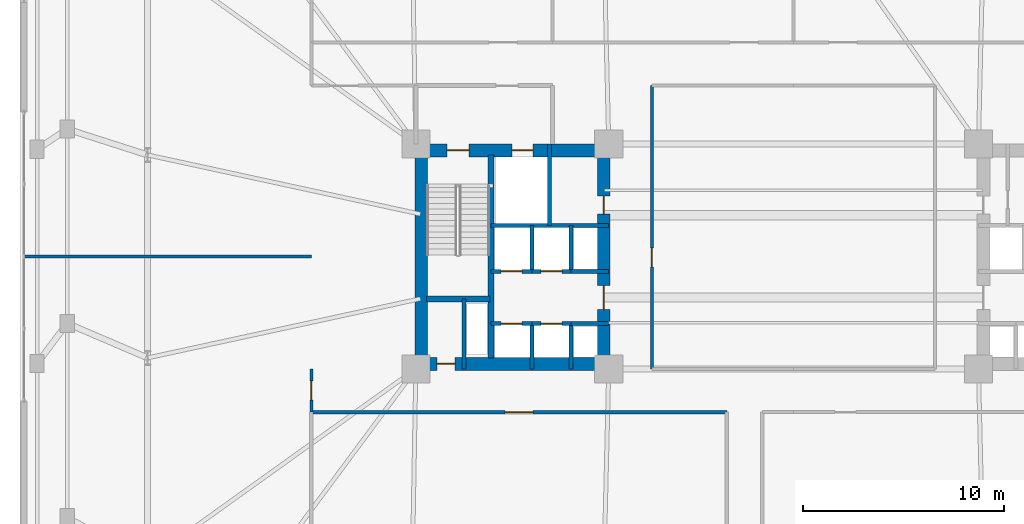
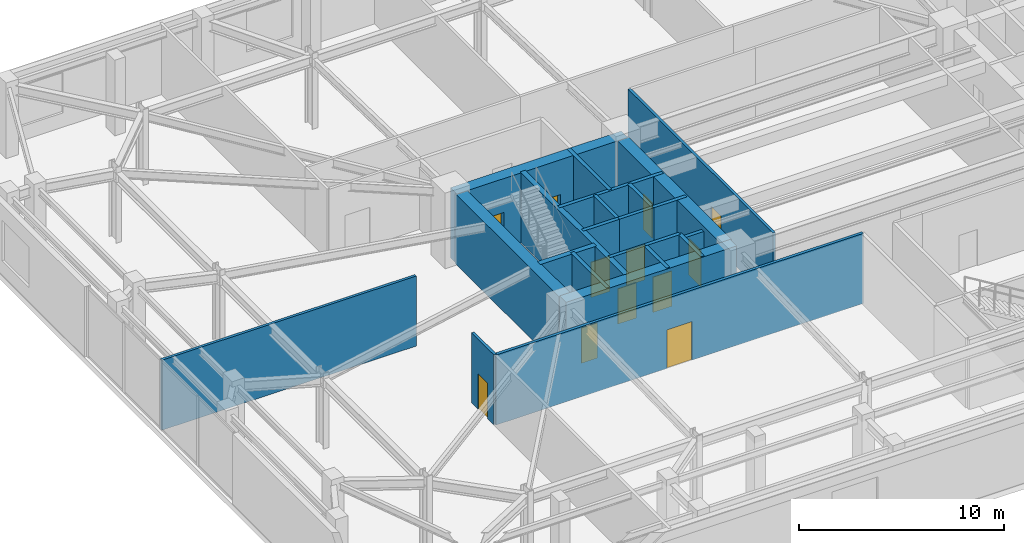
# One storey, part 14 of 23: 23 walls, 12 doors, 12 openings.
"""IFC4 building model written with IfcOpenShell, lengths in metres."""

from ifc_helpers import new_model, si_unit, direction, frame, frame_2d, origin, place, context, subcontext, project, spatial, rectangle, extrude, material, layer, layer_set, type_object, element, fill, save


model = new_model("IFC4")

# Units and contexts
model_context = context("Model", 3, precision=1e-05, world=origin(), true_north=direction((0.0, 1.0)))
body_context = subcontext(model_context, "Body", "Model", "MODEL_VIEW")
ifc_project = project(units=[si_unit("LENGTHUNIT", "METRE"), si_unit("AREAUNIT", "SQUARE_METRE"), si_unit("VOLUMEUNIT", "CUBIC_METRE"), si_unit("PLANEANGLEUNIT", "RADIAN"), si_unit("MASSUNIT", "GRAM", prefix="KILO")], contexts=[model_context])

# Site, building, storey
site_placement = place(None, origin())
site = spatial("IfcSite", under=ifc_project, at=site_placement, CompositionType="ELEMENT")
building_placement = place(site_placement, origin())
building = spatial("IfcBuilding", under=site, at=building_placement, Name="Qobustan Lattice House", CompositionType="ELEMENT")
storey_placement = place(building_placement, frame((0.0, 0.0, 9.0)))
storey = spatial("IfcBuildingStorey", under=building, at=storey_placement, Name="L02", CompositionType="ELEMENT", Elevation=9.0)

# Wall, openings, doors
ifc_material_1 = material(Name="Concrete C60/75", Category="concrete")
ifc_layer_1 = layer(ifc_material_1, 0.639892578125)
ifc_layer_set_1 = layer_set([ifc_layer_1], Name="Concrete C60/75")
wall_type_1 = type_object("IfcWallType", Name="WAL-CORE-640", PredefinedType="SHEAR", material=ifc_layer_set_1)
wall_1_placement = place(storey_placement, frame((-18.800048828125, 5.280029296875, 0.0), z_axis=(0.0, 0.0, 1.0), x_axis=(1.0, 0.0, 0.0)))
wall_1 = element("IfcWall", 1, at=wall_1_placement, inside=storey, type_object=wall_type_1, Name="L02 split-core shear wall CW-N", PredefinedType="SHEAR", context=body_context, shape_type="SweptSolid", body=[
    extrude(rectangle(XDim=9.60009765625, YDim=0.639892578125, at=frame_2d((4.800048828125, 0.0))), origin(), (0.0, 0.0, 1.0), 4.169921875),
])
opening_1_placement = place(wall_1_placement, frame((1.550048828125, 0.0, 0.0)))
opening_1 = element("IfcOpeningElement", 2, at=opening_1_placement, cuts=wall_1, Name="Opening SD-01", PredefinedType="OPENING", context=body_context, shape_type="SweptSolid", body=[
    extrude(rectangle(XDim=1.10009765625, YDim=2.14990234375, at=frame_2d((0.550048828125, 1.074951171875))), frame((0.0, 0.329833984375, 0.0), z_axis=(0.0, -1.0, 0.0), x_axis=(1.0, 0.0, 0.0)), (0.0, 0.0, 1.0), 0.659912109375),
])
opening_2_placement = place(wall_1_placement, frame((4.77490234375, 0.0, 0.0)))
opening_2 = element("IfcOpeningElement", 3, at=opening_2_placement, cuts=wall_1, Name="Opening LD-01", PredefinedType="OPENING", context=body_context, shape_type="SweptSolid", body=[
    extrude(rectangle(XDim=1.050048828125, YDim=2.10009765625, at=frame_2d((0.52490234375, 1.050048828125))), frame((0.0, 0.329833984375, 0.0), z_axis=(0.0, -1.0, 0.0), x_axis=(1.0, 0.0, 0.0)), (0.0, 0.0, 1.0), 0.659912109375),
])
ifc_material_2 = material(Name="Persian walnut timber and steel frame door", Category="steel")
door_type_1 = type_object("IfcDoorType", Name="DOR-LIFT-LD-1050x2100", OperationType="NOTDEFINED", PredefinedType="DOOR", material=ifc_material_2)
door_1_placement = place(opening_2_placement, origin())
door_1 = element("IfcDoor", 4, at=door_1_placement, inside=storey, type_object=door_type_1, Name="L02 firefighting lift FF-W landing door", OperationType="DOUBLE_DOOR_SLIDING", OverallHeight=2.10009765625, OverallWidth=1.050048828125, PredefinedType="DOOR", context=body_context, shape_type="SweptSolid", body=[
    extrude(rectangle(XDim=1.050048828125, YDim=2.10009765625, at=frame_2d((0.52490234375, 1.050048828125))), frame((0.0, 0.02490234375, 0.0), z_axis=(0.0, -1.0, 0.0), x_axis=(1.0, 0.0, 0.0)), (0.0, 0.0, 1.0), 0.050048828125),
])
fill(opening_2, door_1)
ifc_material_3 = material(Name="Persian walnut timber and steel frame door", Category="steel")
door_type_2 = type_object("IfcDoorType", Name="DOR-STAIR-FD-1100x2150", OperationType="NOTDEFINED", PredefinedType="DOOR", material=ifc_material_3)
door_2_placement = place(opening_1_placement, origin())
door_2 = element("IfcDoor", 5, at=door_2_placement, inside=storey, type_object=door_type_2, Name="L02 exit stair ST-W1 fire door", OperationType="SINGLE_SWING_RIGHT", OverallHeight=2.14990234375, OverallWidth=1.10009765625, PredefinedType="DOOR", context=body_context, shape_type="SweptSolid", body=[
    extrude(rectangle(XDim=1.10009765625, YDim=2.14990234375, at=frame_2d((0.550048828125, 1.074951171875))), frame((0.0, 0.02490234375, 0.0), z_axis=(0.0, -1.0, 0.0), x_axis=(1.0, 0.0, 0.0)), (0.0, 0.0, 1.0), 0.050048828125),
])
fill(opening_1, door_2)

# Wall, opening, door
wall_2_placement = place(storey_placement, frame((-18.800048828125, -5.35009765625, 0.0), z_axis=(0.0, 0.0, 1.0), x_axis=(1.0, 0.0, 0.0)))
wall_2 = element("IfcWall", 6, at=wall_2_placement, inside=storey, type_object=wall_type_1, Name="L02 split-core shear wall CW-S", PredefinedType="SHEAR", context=body_context, shape_type="SweptSolid", body=[
    extrude(rectangle(XDim=9.60009765625, YDim=0.639892578125, at=frame_2d((4.800048828125, 0.0))), origin(), (0.0, 0.0, 1.0), 4.169921875),
])
opening_3_placement = place(wall_2_placement, frame((1.050048828125, 0.0, 0.0)))
opening_3 = element("IfcOpeningElement", 7, at=opening_3_placement, cuts=wall_2, Name="Opening RD-01", PredefinedType="OPENING", context=body_context, shape_type="SweptSolid", body=[
    extrude(rectangle(XDim=0.89990234375, YDim=2.10009765625, at=frame_2d((0.449951171875, 1.050048828125))), frame((0.0, 0.329833984375, 0.0), z_axis=(0.0, -1.0, 0.0), x_axis=(1.0, 0.0, 0.0)), (0.0, 0.0, 1.0), 0.659912109375),
])
ifc_material_4 = material(Name="Persian walnut timber and steel frame door", Category="steel")
door_type_3 = type_object("IfcDoorType", Name="DOR-RISER-FD-900x2100", OperationType="NOTDEFINED", PredefinedType="DOOR", material=ifc_material_4)
door_3_placement = place(opening_3_placement, origin())
door_3 = element("IfcDoor", 8, at=door_3_placement, inside=storey, type_object=door_type_3, Name="L02 core service riser access door W", OperationType="SINGLE_SWING_RIGHT", OverallHeight=2.10009765625, OverallWidth=0.89990234375, PredefinedType="DOOR", context=body_context, shape_type="SweptSolid", body=[
    extrude(rectangle(XDim=0.89990234375, YDim=2.10009765625, at=frame_2d((0.449951171875, 1.050048828125))), frame((0.0, 0.02490234375, 0.0), z_axis=(0.0, -1.0, 0.0), x_axis=(1.0, 0.0, 0.0)), (0.0, 0.0, 1.0), 0.050048828125),
])
fill(opening_3, door_3)

# Wall
wall_3_placement = place(storey_placement, frame((-18.530029296875, -5.050048828125, 0.0), z_axis=(0.0, 0.0, 1.0), x_axis=(0.0, 1.0, 0.0)))
element("IfcWall", 9, at=wall_3_placement, inside=storey, type_object=wall_type_1, Name="L02 split-core shear wall CW-W", PredefinedType="SHEAR", context=body_context, shape_type="SweptSolid", body=[
    extrude(rectangle(XDim=10.10009765625, YDim=0.639892578125, at=frame_2d((5.050048828125, 0.0))), origin(), (0.0, 0.0, 1.0), 4.169921875),
])

# Wall, openings, doors
wall_4_placement = place(storey_placement, frame((-9.449951171875, -5.050048828125, 0.0), z_axis=(0.0, 0.0, 1.0), x_axis=(0.0, 1.0, 0.0)))
wall_4 = element("IfcWall", 10, at=wall_4_placement, inside=storey, type_object=wall_type_1, Name="L02 split-core shear wall CW-E", PredefinedType="SHEAR", context=body_context, shape_type="SweptSolid", body=[
    extrude(rectangle(XDim=10.10009765625, YDim=0.639892578125, at=frame_2d((5.050048828125, 0.0))), origin(), (0.0, 0.0, 1.0), 4.169921875),
])
opening_4_placement = place(wall_4_placement, frame((7.14990234375, 0.0, 0.0)))
opening_4 = element("IfcOpeningElement", 11, at=opening_4_placement, cuts=wall_4, Name="Opening RD-01", PredefinedType="OPENING", context=body_context, shape_type="SweptSolid", body=[
    extrude(rectangle(XDim=0.89990234375, YDim=2.10009765625, at=frame_2d((0.449951171875, 1.050048828125))), frame((0.0, 0.329833984375, 0.0), z_axis=(0.0, -1.0, 0.0), x_axis=(1.0, 0.0, 0.0)), (0.0, 0.0, 1.0), 0.659912109375),
])
opening_5_placement = place(wall_4_placement, frame((2.39990234375, 0.0, 0.0)))
opening_5 = element("IfcOpeningElement", 12, at=opening_5_placement, cuts=wall_4, Name="Opening FD-01", PredefinedType="OPENING", context=body_context, shape_type="SweptSolid", body=[
    extrude(rectangle(XDim=1.199951171875, YDim=2.14990234375, at=frame_2d((0.60009765625, 1.074951171875))), frame((0.0, 0.329833984375, 0.0), z_axis=(0.0, -1.0, 0.0), x_axis=(1.0, 0.0, 0.0)), (0.0, 0.0, 1.0), 0.659912109375),
])
ifc_material_5 = material(Name="Persian walnut timber and steel frame door", Category="steel")
door_type_4 = type_object("IfcDoorType", Name="DOR-LOBBY-FD-1200x2150", OperationType="NOTDEFINED", PredefinedType="DOOR", material=ifc_material_5)
door_4_placement = place(opening_5_placement, origin())
door_4 = element("IfcDoor", 13, at=door_4_placement, inside=storey, type_object=door_type_4, Name="L02 West passenger lift lobby fire door", OperationType="SINGLE_SWING_LEFT", OverallHeight=2.14990234375, OverallWidth=1.199951171875, PredefinedType="DOOR", context=body_context, shape_type="SweptSolid", body=[
    extrude(rectangle(XDim=1.199951171875, YDim=2.14990234375, at=frame_2d((0.60009765625, 1.074951171875))), frame((0.0, 0.02490234375, 0.0), z_axis=(0.0, -1.0, 0.0), x_axis=(1.0, 0.0, 0.0)), (0.0, 0.0, 1.0), 0.050048828125),
])
fill(opening_5, door_4)
door_5_placement = place(opening_4_placement, origin())
door_5 = element("IfcDoor", 14, at=door_5_placement, inside=storey, type_object=door_type_3, Name="L02 Floor tea pantry fire door", OperationType="SINGLE_SWING_RIGHT", OverallHeight=2.10009765625, OverallWidth=0.89990234375, PredefinedType="DOOR", context=body_context, shape_type="SweptSolid", body=[
    extrude(rectangle(XDim=0.89990234375, YDim=2.10009765625, at=frame_2d((0.449951171875, 1.050048828125))), frame((0.0, 0.02490234375, 0.0), z_axis=(0.0, -1.0, 0.0), x_axis=(1.0, 0.0, 0.0)), (0.0, 0.0, 1.0), 0.050048828125),
])
fill(opening_4, door_5)

# Walls
ifc_material_6 = material(Name="Concrete C50/60", Category="concrete")
ifc_layer_2 = layer(ifc_material_6, 0.280029296875)
ifc_layer_set_2 = layer_set([ifc_layer_2], Name="Concrete C50/60")
wall_type_2 = type_object("IfcWallType", Name="WAL-CORE-SPINE-280", PredefinedType="SHEAR", material=ifc_layer_set_2)
wall_5_placement = place(storey_placement, frame((-15.050048828125, -5.050048828125, 0.0), z_axis=(0.0, 0.0, 1.0), x_axis=(0.0, 1.0, 0.0)))
element("IfcWall", 15, at=wall_5_placement, inside=storey, type_object=wall_type_2, Name="L02 split-core shear wall CW-M", PredefinedType="SHEAR", context=body_context, shape_type="SweptSolid", body=[
    extrude(rectangle(XDim=10.10009765625, YDim=0.300048828125, at=frame_2d((5.050048828125, 0.0))), origin(), (0.0, 0.0, 1.0), 4.169921875),
])
wall_6_placement = place(storey_placement, frame((-18.280029296875, -2.110107421875, 0.0), z_axis=(0.0, 0.0, 1.0), x_axis=(1.0, 0.0, 0.0)))
element("IfcWall", 16, at=wall_6_placement, inside=storey, type_object=wall_type_2, Name="L02 split-core shear wall CW-ST", PredefinedType="SHEAR", context=body_context, shape_type="SweptSolid", body=[
    extrude(rectangle(XDim=3.179931640625, YDim=0.300048828125, at=frame_2d((1.58984375, 0.0))), origin(), (0.0, 0.0, 1.0), 4.169921875),
])

# Wall, opening, door
ifc_material_7 = material(Name="Acoustic twin-stud gypsum partition", Category="gypsum")
ifc_layer_3 = layer(ifc_material_7, 0.14990234375)
ifc_layer_set_3 = layer_set([ifc_layer_3], Name="Acoustic twin-stud gypsum partition")
wall_type_3 = type_object("IfcWallType", Name="WAL-PART-150", PredefinedType="PARTITIONING", material=ifc_layer_set_3)
wall_7_placement = place(storey_placement, frame((-24.0, -7.75, 0.0), z_axis=(0.0, 0.0, 1.0), x_axis=(0.0, 1.0, 0.0)))
wall_7 = element("IfcWall", 17, at=wall_7_placement, inside=storey, type_object=wall_type_3, Name="L02 interior partition 46", PredefinedType="PARTITIONING", context=body_context, shape_type="SweptSolid", body=[
    extrude(rectangle(XDim=2.14990234375, YDim=0.14990234375, at=frame_2d((1.074951171875, 0.0))), origin(), (0.0, 0.0, 1.0), 4.169921875),
])
opening_6_placement = place(wall_7_placement, frame((0.60009765625, 0.0, 0.0)))
opening_6 = element("IfcOpeningElement", 18, at=opening_6_placement, cuts=wall_7, Name="Opening ID-01", PredefinedType="OPENING", context=body_context, shape_type="SweptSolid", body=[
    extrude(rectangle(XDim=0.949951171875, YDim=2.10009765625, at=frame_2d((0.47509765625, 1.050048828125))), frame((0.0, 0.0849609375, 0.0), z_axis=(0.0, -1.0, 0.0), x_axis=(1.0, 0.0, 0.0)), (0.0, 0.0, 1.0), 0.169921875),
])
ifc_material_8 = material(Name="Persian walnut timber and steel frame door", Category="steel")
door_type_5 = type_object("IfcDoorType", Name="DOR-ROOM-950x2100", OperationType="NOTDEFINED", PredefinedType="DOOR", material=ifc_material_8)
door_6_placement = place(opening_6_placement, origin())
door_6 = element("IfcDoor", 19, at=door_6_placement, inside=storey, type_object=door_type_5, Name="L02 South-west podium corridor to Architecture fabrication makerspace door", OperationType="SINGLE_SWING_RIGHT", OverallHeight=2.10009765625, OverallWidth=0.949951171875, PredefinedType="DOOR", context=body_context, shape_type="SweptSolid", body=[
    extrude(rectangle(XDim=0.949951171875, YDim=2.10009765625, at=frame_2d((0.47509765625, 1.050048828125))), frame((0.0, 0.02490234375, 0.0), z_axis=(0.0, -1.0, 0.0), x_axis=(1.0, 0.0, 0.0)), (0.0, 0.0, 1.0), 0.050048828125),
])
fill(opening_6, door_6)

wall_8_placement = place(storey_placement, frame((-7.050048828125, 8.5, 0.0), z_axis=(0.0, 0.0, 1.0), x_axis=(0.0, -1.0, 0.0)))
wall_8 = element("IfcWall", 20, at=wall_8_placement, inside=storey, type_object=wall_type_3, Name="L02 interior partition 57", PredefinedType="PARTITIONING", context=body_context, shape_type="SweptSolid", body=[
    extrude(rectangle(XDim=14.10009765625, YDim=0.14990234375, at=frame_2d((7.050048828125, 0.0))), origin(), (0.0, 0.0, 1.0), 4.169921875),
])
opening_7_placement = place(wall_8_placement, frame((8.07373046875, 0.0, 0.0)))
opening_7 = element("IfcOpeningElement", 21, at=opening_7_placement, cuts=wall_8, Name="Opening ID-01", PredefinedType="OPENING", context=body_context, shape_type="SweptSolid", body=[
    extrude(rectangle(XDim=0.949951171875, YDim=2.10009765625, at=frame_2d((0.47509765625, 1.050048828125))), frame((0.0, 0.0849609375, 0.0), z_axis=(0.0, -1.0, 0.0), x_axis=(1.0, 0.0, 0.0)), (0.0, 0.0, 1.0), 0.169921875),
])
door_7_placement = place(opening_7_placement, origin())
door_7 = element("IfcDoor", 22, at=door_7_placement, inside=storey, type_object=door_type_5, Name="L02 West podium link corridor to Communal tea servery pantry door", OperationType="SINGLE_SWING_RIGHT", OverallHeight=2.10009765625, OverallWidth=0.949951171875, PredefinedType="DOOR", context=body_context, shape_type="SweptSolid", body=[
    extrude(rectangle(XDim=0.949951171875, YDim=2.10009765625, at=frame_2d((0.47509765625, 1.050048828125))), frame((0.0, 0.02490234375, 0.0), z_axis=(0.0, -1.0, 0.0), x_axis=(1.0, 0.0, 0.0)), (0.0, 0.0, 1.0), 0.050048828125),
])
fill(opening_7, door_7)

# Wall
wall_9_placement = place(storey_placement, frame((-38.300048828125, 0.0, 0.0), z_axis=(0.0, 0.0, 1.0), x_axis=(1.0, 0.0, 0.0)))
element("IfcWall", 23, at=wall_9_placement, inside=storey, type_object=wall_type_3, Name="L02 interior partition 61", PredefinedType="PARTITIONING", context=body_context, shape_type="SweptSolid", body=[
    extrude(rectangle(XDim=14.300048828125, YDim=0.14990234375, at=frame_2d((7.14990234375, 0.0))), origin(), (0.0, 0.0, 1.0), 4.169921875),
])

# Wall, opening, door
ifc_material_9 = material(Name="High-mass acoustic twin-stud partition", Category="gypsum")
ifc_layer_4 = layer(ifc_material_9, 0.1650390625)
ifc_layer_set_4 = layer_set([ifc_layer_4], Name="High-mass acoustic twin-stud partition")
wall_type_4 = type_object("IfcWallType", Name="WAL-PART-165", PredefinedType="PARTITIONING", material=ifc_layer_set_4)
wall_10_placement = place(storey_placement, frame((-3.320068359375, -7.75, 0.0), z_axis=(0.0, 0.0, 1.0), x_axis=(-1.0, 0.0, 0.0)))
wall_10 = element("IfcWall", 24, at=wall_10_placement, inside=storey, type_object=wall_type_4, Name="L02 interior partition 47", PredefinedType="PARTITIONING", context=body_context, shape_type="SweptSolid", body=[
    extrude(rectangle(XDim=20.679931640625, YDim=0.1650390625, at=frame_2d((10.33984375, 0.0))), origin(), (0.0, 0.0, 1.0), 4.169921875),
])
opening_8_placement = place(wall_10_placement, frame((9.639892578125, 0.0, 0.0)))
opening_8 = element("IfcOpeningElement", 25, at=opening_8_placement, cuts=wall_10, Name="Opening ID-04", PredefinedType="OPENING", context=body_context, shape_type="SweptSolid", body=[
    extrude(rectangle(XDim=1.39990234375, YDim=2.300048828125, at=frame_2d((0.699951171875, 1.14990234375))), frame((0.0, 0.092529296875, 0.0), z_axis=(0.0, -1.0, 0.0), x_axis=(1.0, 0.0, 0.0)), (0.0, 0.0, 1.0), 0.18505859375),
])
ifc_material_10 = material(Name="Persian walnut timber and steel frame door", Category="steel")
door_type_6 = type_object("IfcDoorType", Name="DOR-POD-1400x2300", OperationType="NOTDEFINED", PredefinedType="DOOR", material=ifc_material_10)
door_8_placement = place(opening_8_placement, origin())
door_8 = element("IfcDoor", 26, at=door_8_placement, inside=storey, type_object=door_type_6, Name="L02 South-west podium corridor to Acoustic lecture theatre door", OperationType="SINGLE_SWING_LEFT", OverallHeight=2.300048828125, OverallWidth=1.39990234375, PredefinedType="DOOR", context=body_context, shape_type="SweptSolid", body=[
    extrude(rectangle(XDim=1.39990234375, YDim=2.300048828125, at=frame_2d((0.699951171875, 1.14990234375))), frame((0.0, 0.02490234375, 0.0), z_axis=(0.0, -1.0, 0.0), x_axis=(1.0, 0.0, 0.0)), (0.0, 0.0, 1.0), 0.050048828125),
])
fill(opening_8, door_8)

# Walls
ifc_material_11 = material(Name="Concrete C40/50", Category="concrete")
ifc_layer_5 = layer(ifc_material_11, 0.199951171875)
ifc_layer_set_5 = layer_set([ifc_layer_5], Name="Concrete C40/50")
wall_type_5 = type_object("IfcWallType", Name="WAL-SHAFT-200", PredefinedType="PARTITIONING", material=ifc_layer_set_5)
wall_11_placement = place(storey_placement, frame((-16.39990234375, -5.60009765625, 0.0), z_axis=(0.0, 0.0, 1.0), x_axis=(0.0, 1.0, 0.0)))
element("IfcWall", 27, at=wall_11_placement, inside=storey, type_object=wall_type_5, Name="L02 interior partition 1", PredefinedType="PARTITIONING", context=body_context, shape_type="SweptSolid", body=[
    extrude(rectangle(XDim=3.489990234375, YDim=0.199951171875, at=frame_2d((1.7451171875, 0.0))), origin(), (0.0, 0.0, 1.0), 4.169921875),
])
wall_12_placement = place(storey_placement, frame((-12.14990234375, 1.550048828125, 0.0), z_axis=(0.0, 0.0, 1.0), x_axis=(0.0, 1.0, 0.0)))
element("IfcWall", 28, at=wall_12_placement, inside=storey, type_object=wall_type_5, Name="L02 interior partition 2", PredefinedType="PARTITIONING", context=body_context, shape_type="SweptSolid", body=[
    extrude(rectangle(XDim=4.050048828125, YDim=0.199951171875, at=frame_2d((2.02490234375, 0.0))), origin(), (0.0, 0.0, 1.0), 4.169921875),
])

# Wall, opening, door
wall_13_placement = place(storey_placement, frame((-15.050048828125, -3.35009765625, 0.0), z_axis=(0.0, 0.0, 1.0), x_axis=(1.0, 0.0, 0.0)))
wall_13 = element("IfcWall", 29, at=wall_13_placement, inside=storey, type_object=wall_type_5, Name="L02 interior partition 7", PredefinedType="PARTITIONING", context=body_context, shape_type="SweptSolid", body=[
    extrude(rectangle(XDim=2.030029296875, YDim=0.199951171875, at=frame_2d((1.01513671875, 0.0))), origin(), (0.0, 0.0, 1.0), 4.169921875),
])
opening_9_placement = place(wall_13_placement, frame((0.489990234375, 0.0, 0.0)))
opening_9 = element("IfcOpeningElement", 30, at=opening_9_placement, cuts=wall_13, Name="Opening LD-01", PredefinedType="OPENING", context=body_context, shape_type="SweptSolid", body=[
    extrude(rectangle(XDim=1.050048828125, YDim=2.10009765625, at=frame_2d((0.52490234375, 1.050048828125))), frame((0.0, 0.10986328125, 0.0), z_axis=(0.0, -1.0, 0.0), x_axis=(1.0, 0.0, 0.0)), (0.0, 0.0, 1.0), 0.219970703125),
])
door_9_placement = place(opening_9_placement, origin())
door_9 = element("IfcDoor", 31, at=door_9_placement, inside=storey, type_object=door_type_1, Name="L02 lift landing door", OperationType="DOUBLE_DOOR_SLIDING", OverallHeight=2.10009765625, OverallWidth=1.050048828125, PredefinedType="DOOR", context=body_context, shape_type="SweptSolid", body=[
    extrude(rectangle(XDim=1.050048828125, YDim=2.10009765625, at=frame_2d((0.52490234375, 1.050048828125))), frame((0.0, 0.02490234375, 0.0), z_axis=(0.0, -1.0, 0.0), x_axis=(1.0, 0.0, 0.0)), (0.0, 0.0, 1.0), 0.050048828125),
])
fill(opening_9, door_9)

wall_14_placement = place(storey_placement, frame((-13.02001953125, -3.35009765625, 0.0), z_axis=(0.0, 0.0, 1.0), x_axis=(1.0, 0.0, 0.0)))
wall_14 = element("IfcWall", 32, at=wall_14_placement, inside=storey, type_object=wall_type_5, Name="L02 interior partition 8", PredefinedType="PARTITIONING", context=body_context, shape_type="SweptSolid", body=[
    extrude(rectangle(XDim=1.93994140625, YDim=0.199951171875, at=frame_2d((0.969970703125, 0.0))), origin(), (0.0, 0.0, 1.0), 4.169921875),
])
opening_10_placement = place(wall_14_placement, frame((0.445068359375, 0.0, 0.0)))
opening_10 = element("IfcOpeningElement", 33, at=opening_10_placement, cuts=wall_14, Name="Opening LD-01", PredefinedType="OPENING", context=body_context, shape_type="SweptSolid", body=[
    extrude(rectangle(XDim=1.050048828125, YDim=2.10009765625, at=frame_2d((0.52490234375, 1.050048828125))), frame((0.0, 0.10986328125, 0.0), z_axis=(0.0, -1.0, 0.0), x_axis=(1.0, 0.0, 0.0)), (0.0, 0.0, 1.0), 0.219970703125),
])
door_10_placement = place(opening_10_placement, origin())
door_10 = element("IfcDoor", 34, at=door_10_placement, inside=storey, type_object=door_type_1, Name="L02 lift landing door", OperationType="DOUBLE_DOOR_SLIDING", OverallHeight=2.10009765625, OverallWidth=1.050048828125, PredefinedType="DOOR", context=body_context, shape_type="SweptSolid", body=[
    extrude(rectangle(XDim=1.050048828125, YDim=2.10009765625, at=frame_2d((0.52490234375, 1.050048828125))), frame((0.0, 0.02490234375, 0.0), z_axis=(0.0, -1.0, 0.0), x_axis=(1.0, 0.0, 0.0)), (0.0, 0.0, 1.0), 0.050048828125),
])
fill(opening_10, door_10)

# Wall
wall_15_placement = place(storey_placement, frame((-11.080078125, -3.35009765625, 0.0), z_axis=(0.0, 0.0, 1.0), x_axis=(1.0, 0.0, 0.0)))
element("IfcWall", 35, at=wall_15_placement, inside=storey, type_object=wall_type_5, Name="L02 interior partition 9", PredefinedType="PARTITIONING", context=body_context, shape_type="SweptSolid", body=[
    extrude(rectangle(XDim=1.880126953125, YDim=0.199951171875, at=frame_2d((0.93994140625, 0.0))), origin(), (0.0, 0.0, 1.0), 3.885009765625),
])

# Wall, opening, door
wall_16_placement = place(storey_placement, frame((-13.02001953125, -0.75, 0.0), z_axis=(0.0, 0.0, 1.0), x_axis=(-1.0, 0.0, 0.0)))
wall_16 = element("IfcWall", 36, at=wall_16_placement, inside=storey, type_object=wall_type_5, Name="L02 interior partition 10", PredefinedType="PARTITIONING", context=body_context, shape_type="SweptSolid", body=[
    extrude(rectangle(XDim=2.030029296875, YDim=0.199951171875, at=frame_2d((1.01513671875, 0.0))), origin(), (0.0, 0.0, 1.0), 4.169921875),
])
opening_11_placement = place(wall_16_placement, frame((0.489990234375, 0.0, 0.0)))
opening_11 = element("IfcOpeningElement", 37, at=opening_11_placement, cuts=wall_16, Name="Opening LD-01", PredefinedType="OPENING", context=body_context, shape_type="SweptSolid", body=[
    extrude(rectangle(XDim=1.050048828125, YDim=2.10009765625, at=frame_2d((0.52490234375, 1.050048828125))), frame((0.0, 0.10986328125, 0.0), z_axis=(0.0, -1.0, 0.0), x_axis=(1.0, 0.0, 0.0)), (0.0, 0.0, 1.0), 0.219970703125),
])
door_11_placement = place(opening_11_placement, origin())
door_11 = element("IfcDoor", 38, at=door_11_placement, inside=storey, type_object=door_type_1, Name="L02 lift landing door", OperationType="DOUBLE_DOOR_SLIDING", OverallHeight=2.10009765625, OverallWidth=1.050048828125, PredefinedType="DOOR", context=body_context, shape_type="SweptSolid", body=[
    extrude(rectangle(XDim=1.050048828125, YDim=2.10009765625, at=frame_2d((0.52490234375, 1.050048828125))), frame((0.0, 0.02490234375, 0.0), z_axis=(0.0, -1.0, 0.0), x_axis=(1.0, 0.0, 0.0)), (0.0, 0.0, 1.0), 0.050048828125),
])
fill(opening_11, door_11)

wall_17_placement = place(storey_placement, frame((-11.080078125, -0.75, 0.0), z_axis=(0.0, 0.0, 1.0), x_axis=(-1.0, 0.0, 0.0)))
wall_17 = element("IfcWall", 39, at=wall_17_placement, inside=storey, type_object=wall_type_5, Name="L02 interior partition 11", PredefinedType="PARTITIONING", context=body_context, shape_type="SweptSolid", body=[
    extrude(rectangle(XDim=1.93994140625, YDim=0.199951171875, at=frame_2d((0.969970703125, 0.0))), origin(), (0.0, 0.0, 1.0), 4.169921875),
])
opening_12_placement = place(wall_17_placement, frame((0.445068359375, 0.0, 0.0)))
opening_12 = element("IfcOpeningElement", 40, at=opening_12_placement, cuts=wall_17, Name="Opening LD-01", PredefinedType="OPENING", context=body_context, shape_type="SweptSolid", body=[
    extrude(rectangle(XDim=1.050048828125, YDim=2.10009765625, at=frame_2d((0.52490234375, 1.050048828125))), frame((0.0, 0.10986328125, 0.0), z_axis=(0.0, -1.0, 0.0), x_axis=(1.0, 0.0, 0.0)), (0.0, 0.0, 1.0), 0.219970703125),
])
door_12_placement = place(opening_12_placement, origin())
door_12 = element("IfcDoor", 41, at=door_12_placement, inside=storey, type_object=door_type_1, Name="L02 lift landing door", OperationType="DOUBLE_DOOR_SLIDING", OverallHeight=2.10009765625, OverallWidth=1.050048828125, PredefinedType="DOOR", context=body_context, shape_type="SweptSolid", body=[
    extrude(rectangle(XDim=1.050048828125, YDim=2.10009765625, at=frame_2d((0.52490234375, 1.050048828125))), frame((0.0, 0.02490234375, 0.0), z_axis=(0.0, -1.0, 0.0), x_axis=(1.0, 0.0, 0.0)), (0.0, 0.0, 1.0), 0.050048828125),
])
fill(opening_12, door_12)

# Walls
wall_18_placement = place(storey_placement, frame((-9.199951171875, -0.75, 0.0), z_axis=(0.0, 0.0, 1.0), x_axis=(-1.0, 0.0, 0.0)))
element("IfcWall", 42, at=wall_18_placement, inside=storey, type_object=wall_type_5, Name="L02 interior partition 12", PredefinedType="PARTITIONING", context=body_context, shape_type="SweptSolid", body=[
    extrude(rectangle(XDim=1.880126953125, YDim=0.199951171875, at=frame_2d((0.93994140625, 0.0))), origin(), (0.0, 0.0, 1.0), 4.169921875),
])
for number, where, z_axis, x_axis, name in (
    (43, (-13.02001953125, -5.60009765625, 0.0), (0.0, 0.0, 1.0), (0.0, 1.0, 0.0), "L02 interior partition 14"),
    (44, (-11.080078125, -5.60009765625, 0.0), (0.0, 0.0, 1.0), (0.0, 1.0, 0.0), "L02 interior partition 15"),
):
    element("IfcWall", number, at=place(storey_placement, frame(where, z_axis=z_axis, x_axis=x_axis)), inside=storey, type_object=wall_type_5, Name=name, PredefinedType="PARTITIONING", context=body_context, shape_type="SweptSolid", body=[
        extrude(rectangle(XDim=2.25, YDim=0.199951171875, at=frame_2d((1.125, 0.0))), origin(), (0.0, 0.0, 1.0), 4.169921875),
    ])
for number, where, z_axis, x_axis, name in (
    (45, (-13.02001953125, -0.75, 0.0), (0.0, 0.0, 1.0), (0.0, 1.0, 0.0), "L02 interior partition 16"),
    (46, (-11.080078125, -0.75, 0.0), (0.0, 0.0, 1.0), (0.0, 1.0, 0.0), "L02 interior partition 17"),
):
    element("IfcWall", number, at=place(storey_placement, frame(where, z_axis=z_axis, x_axis=x_axis)), inside=storey, type_object=wall_type_5, Name=name, PredefinedType="PARTITIONING", context=body_context, shape_type="SweptSolid", body=[
        extrude(rectangle(XDim=2.300048828125, YDim=0.199951171875, at=frame_2d((1.14990234375, 0.0))), origin(), (0.0, 0.0, 1.0), 4.169921875),
    ])
wall_19_placement = place(storey_placement, frame((-15.050048828125, 1.550048828125, 0.0), z_axis=(0.0, 0.0, 1.0), x_axis=(1.0, 0.0, 0.0)))
element("IfcWall", 47, at=wall_19_placement, inside=storey, type_object=wall_type_5, Name="L02 interior partition 77", PredefinedType="PARTITIONING", context=body_context, shape_type="SweptSolid", body=[
    extrude(rectangle(XDim=5.85009765625, YDim=0.199951171875, at=frame_2d((2.925048828125, 0.0))), origin(), (0.0, 0.0, 1.0), 4.169921875),
])

save(model, "model.ifc")
